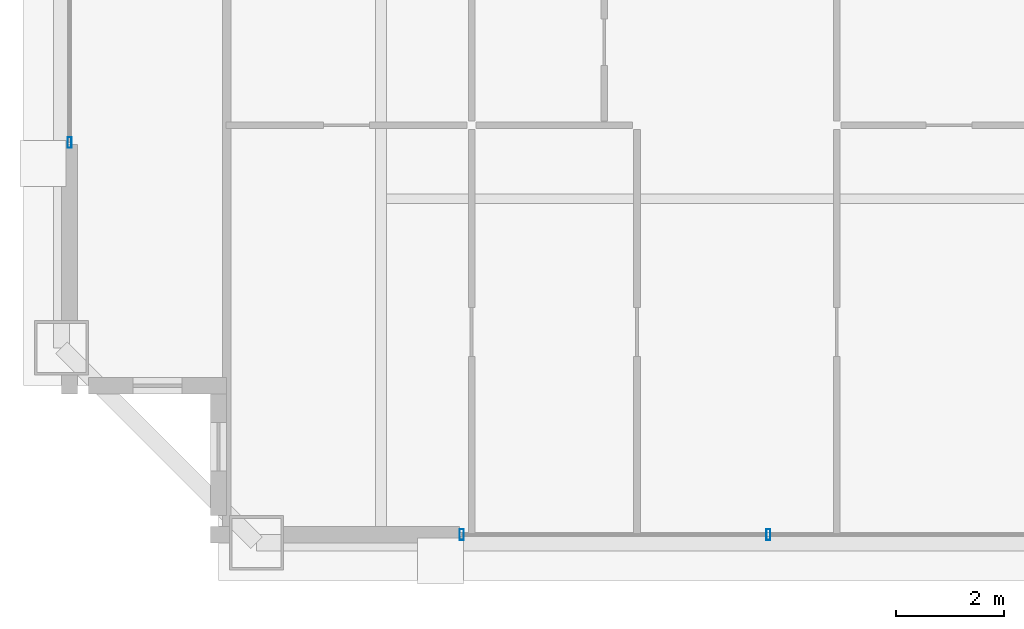
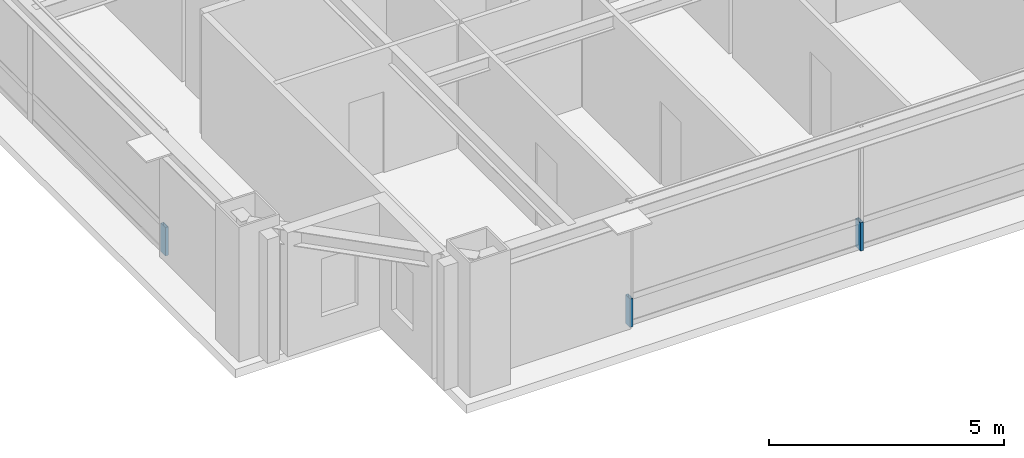
# One storey, part 21 of 35: 3 members, 2 elements without a shape of their own.
"""IFC4 building model written with IfcOpenShell, lengths in metres."""

from ifc_helpers import new_model, si_unit, direction, frame, origin, origin_2d, place, context, subcontext, project, spatial, hollow_rectangle, extrude, source, transform, mapped, material, layer, layer_set, material_profile, profile_set, type_object, element, aggregate, save


model = new_model("IFC4")

# Units and contexts
model_context = context("Model", 3, precision=1e-05, world=origin(), true_north=direction((0.0, 1.0)))
body_context = subcontext(model_context, "Body", "Model", "MODEL_VIEW")
ifc_project = project(units=[si_unit("LENGTHUNIT", "METRE"), si_unit("AREAUNIT", "SQUARE_METRE"), si_unit("VOLUMEUNIT", "CUBIC_METRE"), si_unit("PLANEANGLEUNIT", "RADIAN"), si_unit("MASSUNIT", "GRAM", prefix="KILO"), si_unit("THERMODYNAMICTEMPERATUREUNIT", "KELVIN"), si_unit("POWERUNIT", "WATT")], contexts=[model_context])

# Site, building, storey
site_placement = place(None, origin())
site = spatial("IfcSite", under=ifc_project, at=site_placement, CompositionType="ELEMENT")
building_placement = place(site_placement, origin())
building = spatial("IfcBuilding", under=site, at=building_placement, Name="Yuzanri Waterfront Tower", CompositionType="ELEMENT")
storey_placement = place(building_placement, frame((0.0, 0.0, 303.10009765625)))
storey = spatial("IfcBuildingStorey", under=building, at=storey_placement, Name="L81", CompositionType="ELEMENT", Elevation=303.10009765625)

# Curtain wall, members
ifc_material_1 = material(Name="Anodized Architectural Bronze", Category="metal")
ifc_layer = layer(ifc_material_1, 0.159912109375)
ifc_layer_set = layer_set([ifc_layer], Name="Anodized Architectural Bronze")
curtain_wall_type = type_object("IfcCurtainWallType", Name="Anodized Bronze High-Rise Penthouse High-Wind Unitized Curtain Wall 6900", PredefinedType="NOTDEFINED", material=ifc_layer_set)
curtain_wall_1_placement = place(storey_placement, origin())
curtain_wall_1 = element("IfcCurtainWall", 1, at=curtain_wall_1_placement, inside=storey, type_object=curtain_wall_type, Name="L81 Curtain Wall CW-L81-SL", PredefinedType="NOTDEFINED")
ifc_material_2 = material(Name="Anodized Architectural Bronze", Category="metal")
ifc_material_profile = material_profile(ifc_material_2, hollow_rectangle(XDim=0.074951171875, YDim=0.199951171875, WallThickness=0.00390625, at=origin_2d()), Name="CWM 75x200")
ifc_profile_set = profile_set([ifc_material_profile], Name="Anodized Architectural Bronze")
member_type = type_object("IfcMemberType", Name="Anodized Bronze Primary Curtain-Wall Mullion 75x200", PredefinedType="MULLION", material=ifc_profile_set)
shared_shape = source(origin(), body_context, "Body", "SweptSolid", [
    extrude(hollow_rectangle(XDim=0.074951171875, YDim=0.199951171875, WallThickness=0.00390625, at=origin_2d()), origin(), (0.0, 0.0, 1.0), 0.739013671875),
])
member_1_placement = place(storey_placement, frame((25.2900390625, 6.85009765625, 0.0), z_axis=(0.0, 0.0, 1.0), x_axis=(1.0, 0.0, 0.0)))
member_1 = element("IfcMember", 2, at=member_1_placement, type_object=member_type, Name="CW-L81-SL Lower Mullion 00", PredefinedType="MULLION", context=body_context, shape_type="MappedRepresentation", body=[
    mapped(shared_shape, transform((0.0, 0.0, 0.0), scale=1.0)),
])
member_2_placement = place(storey_placement, frame((30.949951171875, 6.85009765625, 0.0), z_axis=(0.0, 0.0, 1.0), x_axis=(1.0, 0.0, 0.0)))
member_2 = element("IfcMember", 3, at=member_2_placement, type_object=member_type, Name="CW-L81-SL Lower Mullion 01", PredefinedType="MULLION", context=body_context, shape_type="MappedRepresentation", body=[
    mapped(shared_shape, transform((0.0, 0.0, 0.0), scale=1.0)),
])
aggregate(curtain_wall_1, [member_1, member_2])

# Curtain wall, member
curtain_wall_2_placement = place(storey_placement, origin())
curtain_wall_2 = element("IfcCurtainWall", 4, at=curtain_wall_2_placement, inside=storey, type_object=curtain_wall_type, Name="L81 Curtain Wall CW-L81-WL", PredefinedType="NOTDEFINED")
member_3_placement = place(storey_placement, frame((18.050048828125, 14.090087890625, 0.0), z_axis=(0.0, 0.0, 1.0), x_axis=(1.0, 0.0, 0.0)))
member_3 = element("IfcMember", 5, at=member_3_placement, type_object=member_type, Name="CW-L81-WL Lower Mullion 00", PredefinedType="MULLION", context=body_context, shape_type="MappedRepresentation", body=[
    mapped(shared_shape, transform((0.0, 0.0, 0.0), scale=1.0)),
])
aggregate(curtain_wall_2, [member_3])

save(model, "model.ifc")
